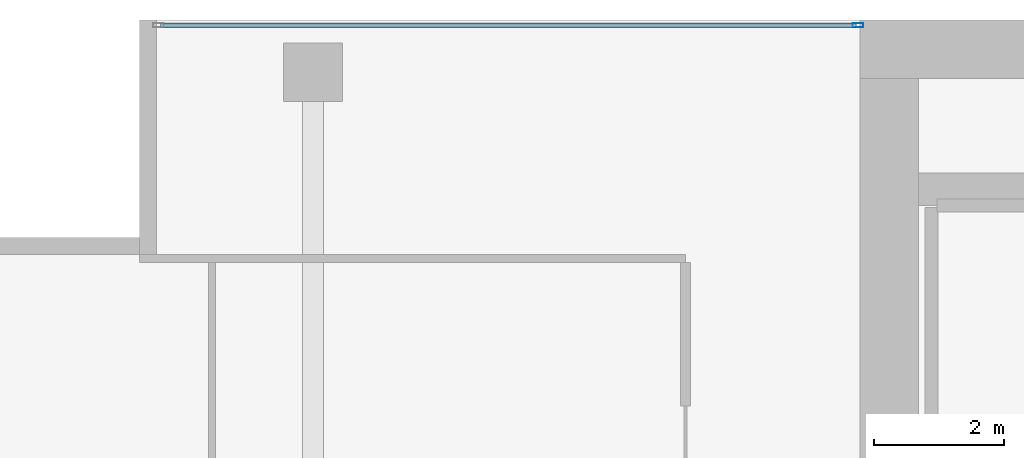
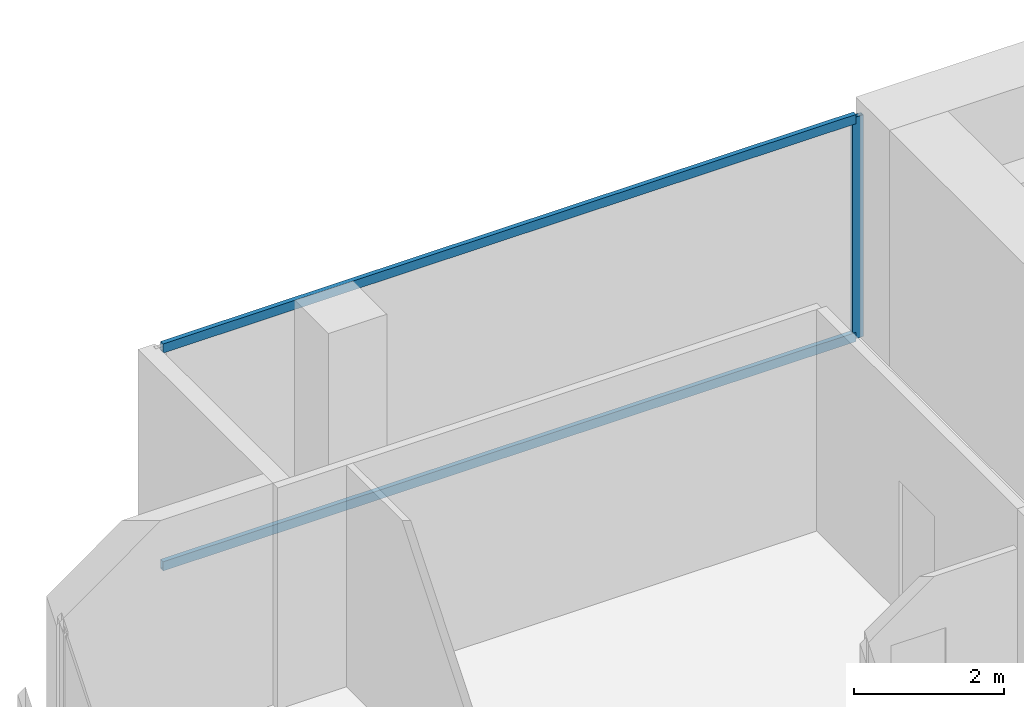
# One storey, part 26 of 40: 3 members, 1 element without a shape of its own.
"""IFC4 building model written with IfcOpenShell, lengths in metres."""

import ifcopenshell
import ifcopenshell.guid

model = None  # the IFC model being written
_history = None  # IfcOwnerHistory: only IFC2X3 demands one
_inside = {}  # id of a spatial element -> (the spatial element, [elements in it])
_under = {}  # id of a project, library or spatial element -> (it, [spatial elements below it])
_declared = {}  # id of a project -> (the project, [libraries it declares])
_typed = {}  # id of a type object -> (the type object, [elements of that type])
_made_of = {}  # id of a material, layer set ... -> (it, [elements and type objects made of it])


def new_model(schema):
    """Start an empty IFC model of exactly this schema.

    Asked for "IFC4X3", IfcOpenShell would pick the latest addendum, in which some entities
    have other attributes; the version numbers below select the first issue.
    IFC2X3 requires an IfcOwnerHistory on every rooted entity: one is made here for all.
    """
    global model, _history
    if schema == "IFC4X3":
        model = ifcopenshell.file(schema_version=(4, 3, 0, 0))
    else:
        model = ifcopenshell.file(schema=schema)
    _inside.clear()
    _under.clear()
    _declared.clear()
    _typed.clear()
    _made_of.clear()
    _history = None
    if model.schema == "IFC2X3":
        org = make("IfcOrganization", Name="unknown")
        user = make(
            "IfcPersonAndOrganization",
            ThePerson=make("IfcPerson", FamilyName="unknown"),
            TheOrganization=org,
        )
        app = make(
            "IfcApplication",
            ApplicationDeveloper=org,
            Version="unknown",
            ApplicationFullName="unknown",
            ApplicationIdentifier="unknown",
        )
        _history = make(
            "IfcOwnerHistory",
            OwningUser=user,
            OwningApplication=app,
            ChangeAction="ADDED",
            CreationDate=0,
        )
    return model


def make(cls, **values):
    """One entity of the class cls with the attributes given. An attribute that is None is left unset."""
    return model.create_entity(
        cls, **{name: value for name, value in values.items() if value is not None}
    )


def rooted(cls, **values):
    """An entity with a GlobalId (a new one), such as an element, a storey or a relation."""
    return make(cls, GlobalId=ifcopenshell.guid.new(), OwnerHistory=_history, **values)


def si_unit(unit_type, name, prefix=None):
    """IfcSIUnit, for example si_unit("LENGTHUNIT", "METRE", prefix="MILLI")."""
    return make("IfcSIUnit", UnitType=unit_type, Prefix=prefix, Name=name)


def assignment(units):
    """IfcUnitAssignment: the units of a project."""
    return None if units is None else make("IfcUnitAssignment", Units=units)


def point(xyz):
    """IfcCartesianPoint."""
    return None if xyz is None else make("IfcCartesianPoint", Coordinates=xyz)


def direction(xyz):
    """IfcDirection."""
    return None if xyz is None else make("IfcDirection", DirectionRatios=xyz)


def frame(location, z_axis=None, x_axis=None):
    """IfcAxis2Placement3D, a coordinate frame: its origin and axes. An axis left out is left unset."""
    return make(
        "IfcAxis2Placement3D",
        Location=point(location),
        Axis=direction(z_axis),
        RefDirection=direction(x_axis),
    )


def frame_2d(location, x_axis=None):
    """IfcAxis2Placement2D, a coordinate frame in the plane: its origin and x axis."""
    return make(
        "IfcAxis2Placement2D", Location=point(location), RefDirection=direction(x_axis)
    )


def origin():
    """The frame at (0, 0, 0) with its axes left unset."""
    return frame((0.0, 0.0, 0.0))


def origin_2d():
    """The frame at (0, 0) in the plane with its x axis left unset."""
    return frame_2d((0.0, 0.0))


def place(relative_to, where):
    """IfcLocalPlacement: puts the frame where relative to a parent placement (None: the world)."""
    return make(
        "IfcLocalPlacement", PlacementRelTo=relative_to, RelativePlacement=where
    )


def context(
    kind, dimensions, precision=None, world=None, true_north=None, identifier=None
):
    """IfcGeometricRepresentationContext, for example the 3D "Model" context."""
    return make(
        "IfcGeometricRepresentationContext",
        ContextIdentifier=identifier,
        ContextType=kind,
        CoordinateSpaceDimension=dimensions,
        Precision=precision,
        WorldCoordinateSystem=world,
        TrueNorth=true_north,
    )


def subcontext(parent, identifier, kind, view, scale=None):
    """IfcGeometricRepresentationSubContext, for example "Body" below "Model"."""
    return make(
        "IfcGeometricRepresentationSubContext",
        ContextIdentifier=identifier,
        ContextType=kind,
        ParentContext=parent,
        TargetScale=scale,
        TargetView=view,
    )


def project(units=None, contexts=None):
    """IfcProject with its units and contexts."""
    return rooted(
        "IfcProject",
        Name="project",
        RepresentationContexts=contexts,
        UnitsInContext=assignment(units),
    )


def spatial(cls, under=None, at=None, **own):
    """A site, building, storey or space (cls), placed at a placement, below another one or the project."""
    s = rooted(cls, ObjectPlacement=at, **own)
    if under is not None:
        _under.setdefault(under.id(), (under, []))[1].append(s)
    return s


def profile(cls, at=None, kind="AREA", **sizes):
    """A parametric profile (cls). Its sizes go by their IFC names, for example OverallWidth=200.0."""
    return make(cls, ProfileType=kind, Position=at, **sizes)


def hollow_rectangle(**sizes):
    """IfcRectangleHollowProfileDef."""
    return profile("IfcRectangleHollowProfileDef", **sizes)


def extrude(swept, where, along, depth):
    """IfcExtrudedAreaSolid: the profile swept, set in the frame where, extruded along a direction by depth."""
    return make(
        "IfcExtrudedAreaSolid",
        SweptArea=swept,
        Position=where,
        ExtrudedDirection=direction(along),
        Depth=depth,
    )


def shape(context_of_items, identifier, shape_type, items):
    """IfcShapeRepresentation: the items that make up one representation, for example the "Body"."""
    return make(
        "IfcShapeRepresentation",
        ContextOfItems=context_of_items,
        RepresentationIdentifier=identifier,
        RepresentationType=shape_type,
        Items=items,
    )


def material(Name=None, Category=None):
    """IfcMaterial."""
    return make("IfcMaterial", Name=Name, Category=Category)


def layer(
    of_material, thickness, ventilated=None, Name=None, Category=None, Priority=None
):
    """IfcMaterialLayer: one layer of a wall or slab, of a material (None: an air gap)."""
    return make(
        "IfcMaterialLayer",
        Material=of_material,
        LayerThickness=thickness,
        IsVentilated=ventilated,
        Name=Name,
        Category=Category,
        Priority=Priority,
    )


def layer_set(layers, Name=None):
    """IfcMaterialLayerSet."""
    return make("IfcMaterialLayerSet", MaterialLayers=layers, LayerSetName=Name)


def material_profile(
    of_material, cross_section, Name=None, Category=None, Priority=None
):
    """IfcMaterialProfile: a cross section and its material."""
    return make(
        "IfcMaterialProfile",
        Name=Name,
        Material=of_material,
        Profile=cross_section,
        Priority=Priority,
        Category=Category,
    )


def profile_set(profiles, Name=None, composite=None):
    """IfcMaterialProfileSet."""
    return make(
        "IfcMaterialProfileSet",
        Name=Name,
        MaterialProfiles=profiles,
        CompositeProfile=composite,
    )


def made_of(thing, what):
    """Note that an element or type object is made of a material, layer set ...; save() writes the relation."""
    if what is not None:
        _made_of.setdefault(what.id(), (what, []))[1].append(thing)
    return thing


def type_object(cls, material=None, **own):
    """A type object (cls), such as IfcWallType, which elements share."""
    return made_of(rooted(cls, **own), material)


def element(
    cls,
    number,
    at=None,
    inside=None,
    cuts=None,
    type_object=None,
    material=None,
    context=None,
    identifier="Body",
    shape_type=None,
    held_by="IfcProductDefinitionShape",
    body=None,
    shapes=None,
    **own,
):
    """One element of the class cls, such as IfcWall. Its Tag is "e" and its number.

    at: its placement. inside: the storey or other place that contains it. cuts: it is an
    opening in that element (IfcRelVoidsElement). A single representation is given by context,
    identifier, shape_type and body (its items); several are given by shapes. held_by: the class
    of the entity that holds the representations. save() writes the other relations.
    """
    e = rooted(cls, Tag="e%d" % number, ObjectPlacement=at, **own)
    if body is not None:
        shapes = [shape(context, identifier, shape_type, body)]
    if shapes is not None:
        e.Representation = make(held_by, Representations=shapes)
    if inside is not None:
        _inside.setdefault(inside.id(), (inside, []))[1].append(e)
    if cuts is not None:
        rooted(
            "IfcRelVoidsElement", RelatingBuildingElement=cuts, RelatedOpeningElement=e
        )
    if type_object is not None:
        _typed.setdefault(type_object.id(), (type_object, []))[1].append(e)
    return made_of(e, material)


def aggregate(whole, parts):
    """IfcRelAggregates: a whole, such as a stair, and the parts it consists of."""
    return rooted("IfcRelAggregates", RelatingObject=whole, RelatedObjects=parts)


def save(model, path):
    """Write the relations noted so far, then the file.

    IfcRelAggregates (storeys below a building ...), IfcRelContainedInSpatialStructure (elements
    in a storey), IfcRelDefinesByType, IfcRelAssociatesMaterial and IfcRelDeclares: one each for
    every whole, place, type object, material and project.
    """
    for whole, parts in _under.values():
        aggregate(whole, parts)
    for where, things in _inside.values():
        rooted(
            "IfcRelContainedInSpatialStructure",
            RelatedElements=things,
            RelatingStructure=where,
        )
    for kind, things in _typed.values():
        rooted("IfcRelDefinesByType", RelatedObjects=things, RelatingType=kind)
    for what, things in _made_of.values():
        rooted("IfcRelAssociatesMaterial", RelatedObjects=things, RelatingMaterial=what)
    for by, libraries in _declared.values():
        rooted("IfcRelDeclares", RelatingContext=by, RelatedDefinitions=libraries)
    model.write(path)


model = new_model("IFC4")

# Units and contexts
model_context = context("Model", 3, precision=1e-05, world=origin(), true_north=direction((0.0, 1.0)))
body_context = subcontext(model_context, "Body", "Model", "MODEL_VIEW")
ifc_project = project(units=[si_unit("LENGTHUNIT", "METRE"), si_unit("AREAUNIT", "SQUARE_METRE"), si_unit("VOLUMEUNIT", "CUBIC_METRE"), si_unit("PLANEANGLEUNIT", "RADIAN"), si_unit("MASSUNIT", "GRAM", prefix="KILO")], contexts=[model_context])

# Site, building, storey
site_placement = place(None, origin())
site = spatial("IfcSite", under=ifc_project, at=site_placement, CompositionType="ELEMENT")
building_placement = place(site_placement, origin())
building = spatial("IfcBuilding", under=site, at=building_placement, Name="Maruvema Waterfront Hotel and Observation Tower", CompositionType="ELEMENT")
storey_placement = place(building_placement, frame((0.0, 0.0, 88.550048828125)))
storey = spatial("IfcBuildingStorey", under=building, at=storey_placement, Name="L21", CompositionType="ELEMENT", Elevation=88.550048828125)

# Curtain wall, members
ifc_material_1 = material(Name="Anodised bronze aluminium and solar-control low-E IGU", Category="aluminium")
ifc_layer = layer(ifc_material_1, 0.159912109375, Name="Zone 1 Bronze Inner Thermal Curtain Wall System CW-02")
ifc_layer_set = layer_set([ifc_layer], Name="Anodised bronze aluminium and solar-control low-E IGU")
curtain_wall_type = type_object("IfcCurtainWallType", Name="Zone 1 Bronze Inner Thermal Curtain Wall System CW-02", PredefinedType="USERDEFINED", material=ifc_layer_set)
curtain_wall_placement = place(storey_placement, origin())
curtain_wall = element("IfcCurtainWall", 1, at=curtain_wall_placement, inside=storey, type_object=curtain_wall_type, Name="L21 Curtain Wall CW-L21-NW", ObjectType="UNITISED CURTAIN WALL", PredefinedType="USERDEFINED")
ifc_material_2 = material(Name="Anodised architectural bronze aluminium", Category="aluminium")
ifc_material_profile_1 = material_profile(ifc_material_2, hollow_rectangle(XDim=0.070068359375, YDim=0.14990234375, WallThickness=0.00390625, at=origin_2d()), Name="ALU-T70x150")
ifc_profile_set_1 = profile_set([ifc_material_profile_1], Name="Anodised architectural bronze aluminium")
member_type_1 = type_object("IfcMemberType", Name="Curtain Wall Horizontal Transom ALU-T70x150", PredefinedType="USERDEFINED", material=ifc_profile_set_1)
member_1_placement = place(storey_placement, frame((25.139892578125, 53.919921875, 0.030029296875), z_axis=(-1.0, 0.0, 0.0), x_axis=(0.0, -1.0, 0.0)))
member_1 = element("IfcMember", 2, at=member_1_placement, type_object=member_type_1, Name="CW-02 transom 1.1", ObjectType="TRANSOM", PredefinedType="USERDEFINED", context=body_context, shape_type="SweptSolid", body=[
    extrude(hollow_rectangle(XDim=0.070068359375, YDim=0.14990234375, WallThickness=0.00390625, at=origin_2d()), origin(), (0.0, 0.0, 1.0), 10.679931640625),
])
member_2_placement = place(storey_placement, frame((25.139892578125, 53.919921875, 3.579833984375), z_axis=(-1.0, 0.0, 0.0), x_axis=(0.0, -1.0, 0.0)))
member_2 = element("IfcMember", 3, at=member_2_placement, type_object=member_type_1, Name="CW-02 transom 1.2", ObjectType="TRANSOM", PredefinedType="USERDEFINED", context=body_context, shape_type="SweptSolid", body=[
    extrude(hollow_rectangle(XDim=0.070068359375, YDim=0.14990234375, WallThickness=0.00390625, at=origin_2d()), origin(), (0.0, 0.0, 1.0), 10.679931640625),
])
ifc_material_3 = material(Name="Anodised architectural bronze aluminium", Category="aluminium")
ifc_material_profile_2 = material_profile(ifc_material_3, hollow_rectangle(XDim=0.06494140625, YDim=0.1650390625, WallThickness=0.00390625, at=origin_2d()), Name="ALU-M65x165")
ifc_profile_set_2 = profile_set([ifc_material_profile_2], Name="Anodised architectural bronze aluminium")
member_type_2 = type_object("IfcMemberType", Name="Curtain Wall Primary Mullion ALU-M65x165", PredefinedType="MULLION", material=ifc_profile_set_2)
member_3_placement = place(storey_placement, frame((25.169921875, 53.919921875, 0.0), z_axis=(0.0, 0.0, 1.0), x_axis=(0.0, -1.0, 0.0)))
member_3 = element("IfcMember", 4, at=member_3_placement, type_object=member_type_2, Name="CW-02 mullion 1", PredefinedType="MULLION", context=body_context, shape_type="SweptSolid", body=[
    extrude(hollow_rectangle(XDim=0.06494140625, YDim=0.1650390625, WallThickness=0.00390625, at=origin_2d()), origin(), (0.0, 0.0, 1.0), 3.60986328125),
])
aggregate(curtain_wall, [member_3, member_1, member_2])

save(model, "model.ifc")
